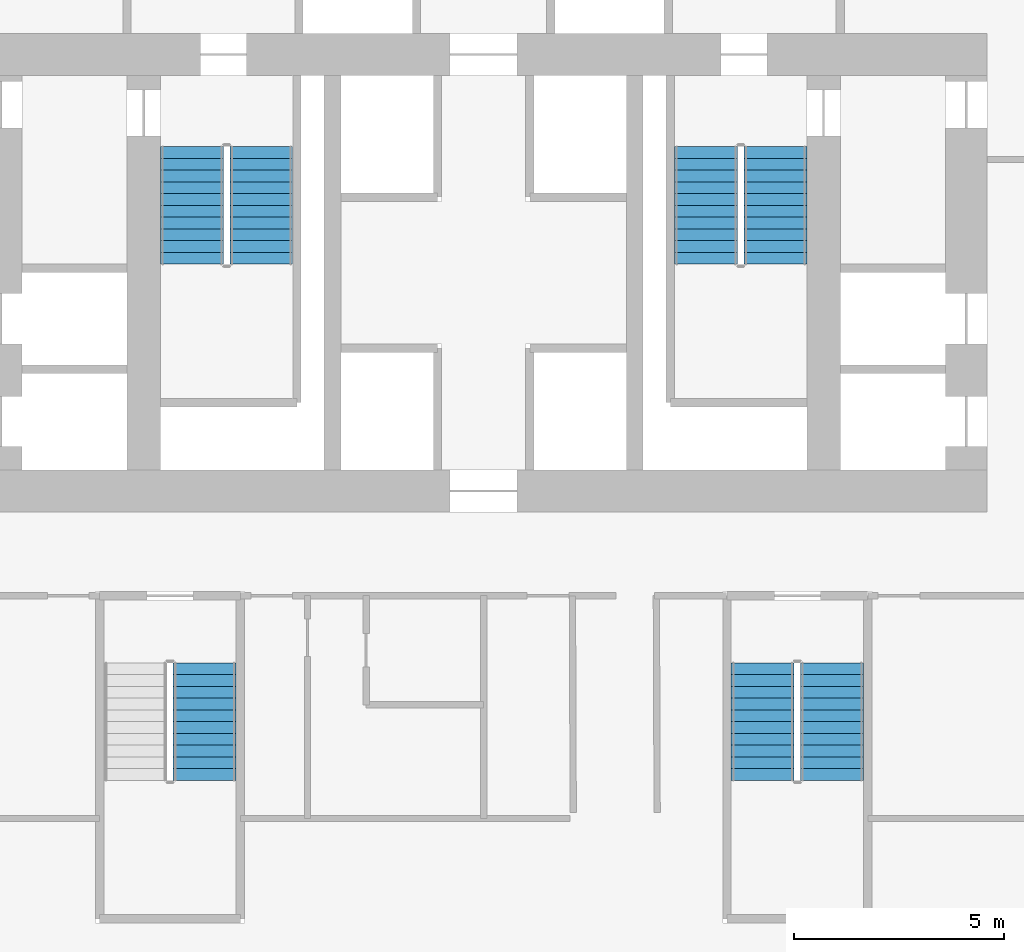
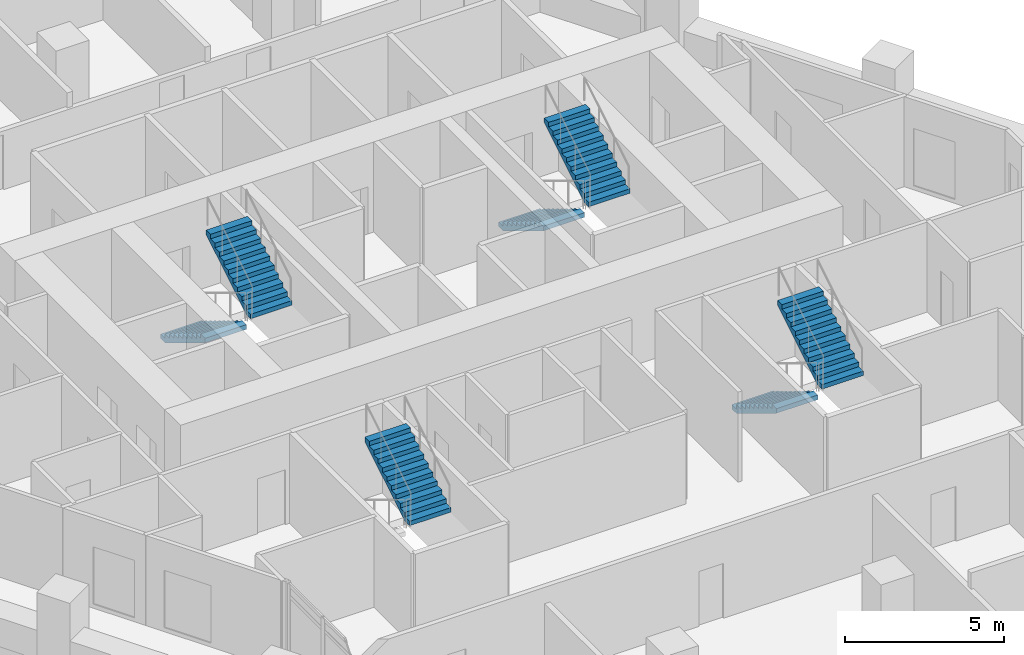
# One storey, part 27 of 28: 7 stair flights, 4 elements without a shape of their own.
"""IFC4 building model written with IfcOpenShell, lengths in metres."""

from ifc_helpers import new_model, si_unit, direction, frame, origin, place, context, subcontext, project, spatial, polyline, outline, extrude, material, type_object, element, aggregate, save


model = new_model("IFC4")

# Units and contexts
model_context = context("Model", 3, precision=1e-05, world=origin(), true_north=direction((0.0, 1.0)))
body_context = subcontext(model_context, "Body", "Model", "MODEL_VIEW")
ifc_project = project(units=[si_unit("LENGTHUNIT", "METRE"), si_unit("AREAUNIT", "SQUARE_METRE"), si_unit("VOLUMEUNIT", "CUBIC_METRE"), si_unit("PLANEANGLEUNIT", "RADIAN"), si_unit("MASSUNIT", "GRAM", prefix="KILO")], contexts=[model_context])

# Site, building, storey
site_placement = place(None, origin())
site = spatial("IfcSite", under=ifc_project, at=site_placement, CompositionType="ELEMENT")
building_placement = place(site_placement, origin())
building = spatial("IfcBuilding", under=site, at=building_placement, Name="Ostrander Bayou Hotel Tower", CompositionType="ELEMENT")
storey_placement = place(building_placement, frame((0.0, 0.0, 142.25)))
storey = spatial("IfcBuildingStorey", under=building, at=storey_placement, Name="L35", CompositionType="ELEMENT", Elevation=142.25)

# Stair, stair flights
ifc_material_1 = material(Name="Concrete f'c 45 MPa", Category="concrete")
stair_type = type_object("IfcStairType", Name="ST1 exit stair 1500 mm f'c 45 MPa", PredefinedType="HALF_TURN_STAIR", material=ifc_material_1)
stair_1_placement = place(storey_placement, origin())
stair_1 = element("IfcStair", 1, at=stair_1_placement, inside=storey, type_object=stair_type, Name="L35 exit stair A", PredefinedType="HALF_TURN_STAIR")
ifc_material_2 = material(Name="Concrete f'c 45 MPa", Category="concrete")
stair_flight_type = type_object("IfcStairFlightType", Name="SF1 stair flight 1500 mm f'c 45 MPa", PredefinedType="STRAIGHT", material=ifc_material_2)
stair_flight_1_placement = place(storey_placement, frame((-6.949951171875, 7.0, 0.0), z_axis=(0.0, 0.0, 1.0), x_axis=(0.0, -1.0, 0.0)))
stair_flight_1 = element("IfcStairFlight", 2, at=stair_flight_1_placement, type_object=stair_flight_type, Name="STA flight 1", NumberOfRisers=11, NumberOfTreads=10, PredefinedType="STRAIGHT", RiserHeight=0.170454545, TreadLength=0.28, context=body_context, shape_type="SweptSolid", body=[
    extrude(outline(polyline([(0.0, 0.0), (0.0, 0.17041015625), (0.280029296875, 0.17041015625), (0.280029296875, 0.3408203125), (0.56005859375, 0.3408203125), (0.56005859375, 0.511474609375), (0.840087890625, 0.511474609375), (0.840087890625, 0.681884765625), (1.1201171875, 0.681884765625), (1.1201171875, 0.852294921875), (1.39990234375, 0.852294921875), (1.39990234375, 1.022705078125), (1.679931640625, 1.022705078125), (1.679931640625, 1.193115234375), (1.9599609375, 1.193115234375), (1.9599609375, 1.363525390625), (2.239990234375, 1.363525390625), (2.239990234375, 1.5341796875), (2.52001953125, 1.5341796875), (2.52001953125, 1.70458984375), (2.800048828125, 1.70458984375), (2.800048828125, 1.875), (2.800048828125, 1.529052734375), (0.288330078125, 0.0), (0.0, 0.0)])), frame((0.0, 0.75, 0.0), z_axis=(0.0, -1.0, 0.0), x_axis=(1.0, 0.0, 0.0)), (0.0, 0.0, 1.0), 1.5),
])
stair_flight_2_placement = place(storey_placement, frame((-5.300048828125, 4.199951171875, 1.875), z_axis=(0.0, 0.0, 1.0), x_axis=(0.0, 1.0, 0.0)))
stair_flight_2 = element("IfcStairFlight", 3, at=stair_flight_2_placement, type_object=stair_flight_type, Name="STA flight 2", NumberOfRisers=11, NumberOfTreads=10, PredefinedType="STRAIGHT", RiserHeight=0.170454545, TreadLength=0.28, context=body_context, shape_type="SweptSolid", body=[
    extrude(outline(polyline([(0.0, 0.0), (0.0, 0.17041015625), (0.280029296875, 0.17041015625), (0.280029296875, 0.3408203125), (0.56005859375, 0.3408203125), (0.56005859375, 0.511474609375), (0.840087890625, 0.511474609375), (0.840087890625, 0.681884765625), (1.1201171875, 0.681884765625), (1.1201171875, 0.852294921875), (1.39990234375, 0.852294921875), (1.39990234375, 1.022705078125), (1.679931640625, 1.022705078125), (1.679931640625, 1.193115234375), (1.9599609375, 1.193115234375), (1.9599609375, 1.363525390625), (2.239990234375, 1.363525390625), (2.239990234375, 1.5341796875), (2.52001953125, 1.5341796875), (2.52001953125, 1.70458984375), (2.800048828125, 1.70458984375), (2.800048828125, 1.875), (2.800048828125, 1.529052734375), (0.288330078125, 0.0), (0.0, 0.0)])), frame((0.0, 0.75, 0.0), z_axis=(0.0, -1.0, 0.0), x_axis=(1.0, 0.0, 0.0)), (0.0, 0.0, 1.0), 1.5),
])
aggregate(stair_1, [stair_flight_1, stair_flight_2])

stair_2_placement = place(storey_placement, origin())
stair_2 = element("IfcStair", 4, at=stair_2_placement, inside=storey, type_object=stair_type, Name="L35 exit stair B", PredefinedType="HALF_TURN_STAIR")
stair_flight_3_placement = place(storey_placement, frame((5.300048828125, 7.0, 0.0), z_axis=(0.0, 0.0, 1.0), x_axis=(0.0, -1.0, 0.0)))
stair_flight_3 = element("IfcStairFlight", 5, at=stair_flight_3_placement, type_object=stair_flight_type, Name="STB flight 1", NumberOfRisers=11, NumberOfTreads=10, PredefinedType="STRAIGHT", RiserHeight=0.170454545, TreadLength=0.28, context=body_context, shape_type="SweptSolid", body=[
    extrude(outline(polyline([(0.0, 0.0), (0.0, 0.17041015625), (0.280029296875, 0.17041015625), (0.280029296875, 0.3408203125), (0.56005859375, 0.3408203125), (0.56005859375, 0.511474609375), (0.840087890625, 0.511474609375), (0.840087890625, 0.681884765625), (1.1201171875, 0.681884765625), (1.1201171875, 0.852294921875), (1.39990234375, 0.852294921875), (1.39990234375, 1.022705078125), (1.679931640625, 1.022705078125), (1.679931640625, 1.193115234375), (1.9599609375, 1.193115234375), (1.9599609375, 1.363525390625), (2.239990234375, 1.363525390625), (2.239990234375, 1.5341796875), (2.52001953125, 1.5341796875), (2.52001953125, 1.70458984375), (2.800048828125, 1.70458984375), (2.800048828125, 1.875), (2.800048828125, 1.529052734375), (0.288330078125, 0.0), (0.0, 0.0)])), frame((0.0, 0.75, 0.0), z_axis=(0.0, -1.0, 0.0), x_axis=(1.0, 0.0, 0.0)), (0.0, 0.0, 1.0), 1.5),
])
stair_flight_4_placement = place(storey_placement, frame((6.949951171875, 4.199951171875, 1.875), z_axis=(0.0, 0.0, 1.0), x_axis=(0.0, 1.0, 0.0)))
stair_flight_4 = element("IfcStairFlight", 6, at=stair_flight_4_placement, type_object=stair_flight_type, Name="STB flight 2", NumberOfRisers=11, NumberOfTreads=10, PredefinedType="STRAIGHT", RiserHeight=0.170454545, TreadLength=0.28, context=body_context, shape_type="SweptSolid", body=[
    extrude(outline(polyline([(0.0, 0.0), (0.0, 0.17041015625), (0.280029296875, 0.17041015625), (0.280029296875, 0.3408203125), (0.56005859375, 0.3408203125), (0.56005859375, 0.511474609375), (0.840087890625, 0.511474609375), (0.840087890625, 0.681884765625), (1.1201171875, 0.681884765625), (1.1201171875, 0.852294921875), (1.39990234375, 0.852294921875), (1.39990234375, 1.022705078125), (1.679931640625, 1.022705078125), (1.679931640625, 1.193115234375), (1.9599609375, 1.193115234375), (1.9599609375, 1.363525390625), (2.239990234375, 1.363525390625), (2.239990234375, 1.5341796875), (2.52001953125, 1.5341796875), (2.52001953125, 1.70458984375), (2.800048828125, 1.70458984375), (2.800048828125, 1.875), (2.800048828125, 1.529052734375), (0.288330078125, 0.0), (0.0, 0.0)])), frame((0.0, 0.75, 0.0), z_axis=(0.0, -1.0, 0.0), x_axis=(1.0, 0.0, 0.0)), (0.0, 0.0, 1.0), 1.5),
])
aggregate(stair_2, [stair_flight_3, stair_flight_4])

stair_3_placement = place(storey_placement, origin())
stair_3 = element("IfcStair", 7, at=stair_3_placement, inside=storey, type_object=stair_type, Name="L35 exit stair C", PredefinedType="HALF_TURN_STAIR")
stair_flight_5_placement = place(storey_placement, frame((6.64990234375, -5.300048828125, 0.0), z_axis=(0.0, 0.0, 1.0), x_axis=(0.0, -1.0, 0.0)))
stair_flight_5 = element("IfcStairFlight", 8, at=stair_flight_5_placement, type_object=stair_flight_type, Name="STC flight 1", NumberOfRisers=11, NumberOfTreads=10, PredefinedType="STRAIGHT", RiserHeight=0.170454545, TreadLength=0.28, context=body_context, shape_type="SweptSolid", body=[
    extrude(outline(polyline([(0.0, 0.0), (0.0, 0.17041015625), (0.280029296875, 0.17041015625), (0.280029296875, 0.3408203125), (0.56005859375, 0.3408203125), (0.56005859375, 0.511474609375), (0.840087890625, 0.511474609375), (0.840087890625, 0.681884765625), (1.1201171875, 0.681884765625), (1.1201171875, 0.852294921875), (1.39990234375, 0.852294921875), (1.39990234375, 1.022705078125), (1.679931640625, 1.022705078125), (1.679931640625, 1.193115234375), (1.9599609375, 1.193115234375), (1.9599609375, 1.363525390625), (2.239990234375, 1.363525390625), (2.239990234375, 1.5341796875), (2.52001953125, 1.5341796875), (2.52001953125, 1.70458984375), (2.800048828125, 1.70458984375), (2.800048828125, 1.875), (2.800048828125, 1.529052734375), (0.288330078125, 0.0), (0.0, 0.0)])), frame((0.0, 0.75, 0.0), z_axis=(0.0, -1.0, 0.0), x_axis=(1.0, 0.0, 0.0)), (0.0, 0.0, 1.0), 1.5),
])
stair_flight_6_placement = place(storey_placement, frame((8.300048828125, -8.10009765625, 1.875), z_axis=(0.0, 0.0, 1.0), x_axis=(0.0, 1.0, 0.0)))
stair_flight_6 = element("IfcStairFlight", 9, at=stair_flight_6_placement, type_object=stair_flight_type, Name="STC flight 2", NumberOfRisers=11, NumberOfTreads=10, PredefinedType="STRAIGHT", RiserHeight=0.170454545, TreadLength=0.28, context=body_context, shape_type="SweptSolid", body=[
    extrude(outline(polyline([(0.0, 0.0), (0.0, 0.17041015625), (0.280029296875, 0.17041015625), (0.280029296875, 0.3408203125), (0.56005859375, 0.3408203125), (0.56005859375, 0.511474609375), (0.840087890625, 0.511474609375), (0.840087890625, 0.681884765625), (1.1201171875, 0.681884765625), (1.1201171875, 0.852294921875), (1.39990234375, 0.852294921875), (1.39990234375, 1.022705078125), (1.679931640625, 1.022705078125), (1.679931640625, 1.193115234375), (1.9599609375, 1.193115234375), (1.9599609375, 1.363525390625), (2.239990234375, 1.363525390625), (2.239990234375, 1.5341796875), (2.52001953125, 1.5341796875), (2.52001953125, 1.70458984375), (2.800048828125, 1.70458984375), (2.800048828125, 1.875), (2.800048828125, 1.529052734375), (0.288330078125, 0.0), (0.0, 0.0)])), frame((0.0, 0.75, 0.0), z_axis=(0.0, -1.0, 0.0), x_axis=(1.0, 0.0, 0.0)), (0.0, 0.0, 1.0), 1.5),
])
aggregate(stair_3, [stair_flight_5, stair_flight_6])

# Stair, stair flight
stair_4_placement = place(storey_placement, origin())
stair_4 = element("IfcStair", 10, at=stair_4_placement, inside=storey, type_object=stair_type, Name="L35 exit stair D", PredefinedType="HALF_TURN_STAIR")
stair_flight_7_placement = place(storey_placement, frame((-6.64990234375, -8.10009765625, 1.875), z_axis=(0.0, 0.0, 1.0), x_axis=(0.0, 1.0, 0.0)))
stair_flight_7 = element("IfcStairFlight", 11, at=stair_flight_7_placement, type_object=stair_flight_type, Name="STD flight 2", NumberOfRisers=11, NumberOfTreads=10, PredefinedType="STRAIGHT", RiserHeight=0.170454545, TreadLength=0.28, context=body_context, shape_type="SweptSolid", body=[
    extrude(outline(polyline([(0.0, 0.0), (0.0, 0.17041015625), (0.280029296875, 0.17041015625), (0.280029296875, 0.3408203125), (0.56005859375, 0.3408203125), (0.56005859375, 0.511474609375), (0.840087890625, 0.511474609375), (0.840087890625, 0.681884765625), (1.1201171875, 0.681884765625), (1.1201171875, 0.852294921875), (1.39990234375, 0.852294921875), (1.39990234375, 1.022705078125), (1.679931640625, 1.022705078125), (1.679931640625, 1.193115234375), (1.9599609375, 1.193115234375), (1.9599609375, 1.363525390625), (2.239990234375, 1.363525390625), (2.239990234375, 1.5341796875), (2.52001953125, 1.5341796875), (2.52001953125, 1.70458984375), (2.800048828125, 1.70458984375), (2.800048828125, 1.875), (2.800048828125, 1.529052734375), (0.288330078125, 0.0), (0.0, 0.0)])), frame((0.0, 0.75, 0.0), z_axis=(0.0, -1.0, 0.0), x_axis=(1.0, 0.0, 0.0)), (0.0, 0.0, 1.0), 1.5),
])
aggregate(stair_4, [stair_flight_7])

save(model, "model.ifc")
